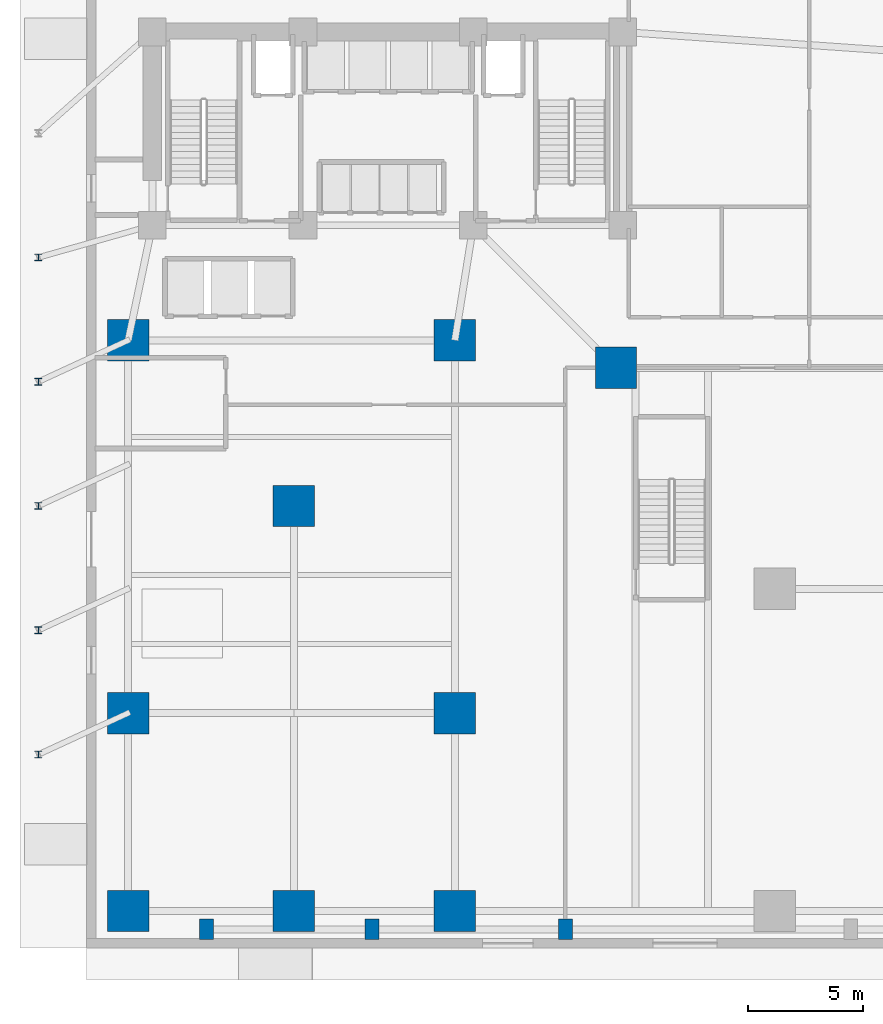
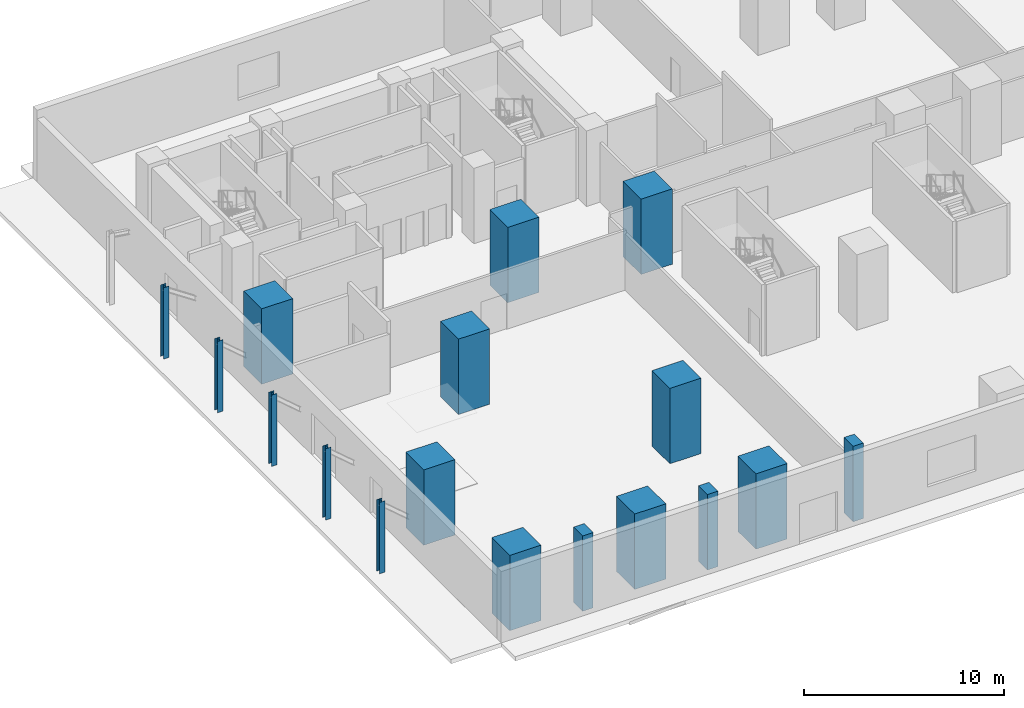
# One storey, part 1 of 14: 17 columns.
"""IFC4 building model written with IfcOpenShell, lengths in metres."""

from ifc_helpers import new_model, si_unit, direction, frame, origin, origin_2d, place, context, subcontext, project, spatial, rectangle, i_section, extrude, material, material_profile, profile_set, type_object, element, save


model = new_model("IFC4")

# Units and contexts
model_context = context("Model", 3, precision=1e-05, world=origin(), true_north=direction((0.0, 1.0)))
body_context = subcontext(model_context, "Body", "Model", "MODEL_VIEW")
ifc_project = project(units=[si_unit("LENGTHUNIT", "METRE"), si_unit("AREAUNIT", "SQUARE_METRE"), si_unit("VOLUMEUNIT", "CUBIC_METRE"), si_unit("PLANEANGLEUNIT", "RADIAN"), si_unit("MASSUNIT", "GRAM", prefix="KILO")], contexts=[model_context])

# Site, building, storey
site_placement = place(None, origin())
site = spatial("IfcSite", under=ifc_project, at=site_placement, CompositionType="ELEMENT")
building_placement = place(site_placement, origin())
building = spatial("IfcBuilding", under=site, at=building_placement, Name="Kuzgunbayir Cultural Tower", CompositionType="ELEMENT")
storey_placement = place(building_placement, origin())
storey = spatial("IfcBuildingStorey", under=building, at=storey_placement, Name="L00", CompositionType="ELEMENT", Elevation=0.0)

# Columns
ifc_material_1 = material(Name="Steel S355J2", Category="steel")
ifc_material_profile_1 = material_profile(ifc_material_1, i_section(OverallWidth=0.300048828125, OverallDepth=0.300048828125, WebThickness=0.010986328125, FlangeThickness=0.01904296875, FilletRadius=0.027099609375, at=origin_2d()), Name="HEB 300")
ifc_profile_set_1 = profile_set([ifc_material_profile_1], Name="Steel S355J2")
column_type_1 = type_object("IfcColumnType", Name="COL-COLONNADE-HEB300", PredefinedType="COLUMN", material=ifc_profile_set_1)
for number, where, z_axis, x_axis, name in (
    (1, (1.5, 10.800048828125, 0.0), (0.0, 0.0, 1.0), (1.0, 0.0, 0.0), "L00 West Civic Colonnade Column 1"),
    (2, (1.5, 16.199951171875, 0.0), (0.0, 0.0, 1.0), (1.0, 0.0, 0.0), "L00 West Civic Colonnade Column 2"),
    (3, (1.5, 21.60009765625, 0.0), (0.0, 0.0, 1.0), (1.0, 0.0, 0.0), "L00 West Civic Colonnade Column 3"),
    (4, (1.5, 27.0, 0.0), (0.0, 0.0, 1.0), (1.0, 0.0, 0.0), "L00 West Civic Colonnade Column 4"),
    (5, (1.5, 32.39990234375, 0.0), (0.0, 0.0, 1.0), (1.0, 0.0, 0.0), "L00 West Civic Colonnade Column 5"),
):
    element("IfcColumn", number, at=place(storey_placement, frame(where, z_axis=z_axis, x_axis=x_axis)), inside=storey, type_object=column_type_1, Name=name, PredefinedType="COLUMN", context=body_context, shape_type="SweptSolid", body=[
        extrude(i_section(OverallWidth=0.300048828125, OverallDepth=0.300048828125, WebThickness=0.010986328125, FlangeThickness=0.01904296875, FilletRadius=0.027099609375, at=origin_2d()), origin(), (0.0, 0.0, 1.0), 4.35009765625),
    ])
ifc_material_2 = material(Name="Concrete C60/75", Category="concrete")
ifc_material_profile_2 = material_profile(ifc_material_2, rectangle(XDim=1.800048828125, YDim=1.800048828125, at=origin_2d()), Name="RC 1800x1800")
ifc_profile_set_2 = profile_set([ifc_material_profile_2], Name="Concrete C60/75")
column_type_2 = type_object("IfcColumnType", Name="COL-MEGA-1800", PredefinedType="COLUMN", material=ifc_profile_set_2)
for number, where, z_axis, x_axis, name in (
    (6, (5.39990234375, 12.60009765625, 0.0), (0.0, 0.0, 1.0), (1.0, 0.0, 0.0), "L00 Podium Mega-Column PC-T1A-SW"),
    (7, (19.60009765625, 12.60009765625, 0.0), (0.0, 0.0, 1.0), (1.0, 0.0, 0.0), "L00 Podium Mega-Column PC-T1A-SE"),
    (8, (5.39990234375, 28.800048828125, 0.0), (0.0, 0.0, 1.0), (1.0, 0.0, 0.0), "L00 Podium Mega-Column PC-T1A-NW"),
    (9, (19.60009765625, 28.800048828125, 0.0), (0.0, 0.0, 1.0), (1.0, 0.0, 0.0), "L00 Podium Mega-Column PC-T1A-NE"),
    (10, (26.60009765625, 27.60009765625, 0.0), (0.0, 0.0, 1.0), (1.0, 0.0, 0.0), "L00 Podium Mega-Column PC-T1B-1S"),
    (11, (5.39990234375, 4.0, 0.0), (0.0, 0.0, 1.0), (1.0, 0.0, 0.0), "L00 Podium Mega-Column PC-P01"),
    (12, (12.60009765625, 4.0, 0.0), (0.0, 0.0, 1.0), (1.0, 0.0, 0.0), "L00 Podium Mega-Column PC-P02"),
    (13, (19.60009765625, 4.0, 0.0), (0.0, 0.0, 1.0), (1.0, 0.0, 0.0), "L00 Podium Mega-Column PC-P03"),
    (14, (12.60009765625, 21.60009765625, 0.0), (0.0, 0.0, 1.0), (1.0, 0.0, 0.0), "L00 Podium Mega-Column PC-P09"),
):
    element("IfcColumn", number, at=place(storey_placement, frame(where, z_axis=z_axis, x_axis=x_axis)), inside=storey, type_object=column_type_2, Name=name, PredefinedType="COLUMN", context=body_context, shape_type="SweptSolid", body=[
        extrude(rectangle(XDim=1.800048828125, YDim=1.800048828125, at=origin_2d()), origin(), (0.0, 0.0, 1.0), 4.60009765625),
    ])
ifc_material_profile_3 = material_profile(ifc_material_2, rectangle(XDim=0.60009765625, YDim=0.89990234375, at=origin_2d()), Name="RC 600x900")
ifc_profile_set_3 = profile_set([ifc_material_profile_3], Name="Concrete C60/75")
column_type_3 = type_object("IfcColumnType", Name="COL-PILASTER-600x900", PredefinedType="PILASTER", material=ifc_profile_set_3)
for number, where, z_axis, x_axis, name in (
    (15, (8.800048828125, 3.199951171875, 0.0), (0.0, 0.0, 1.0), (1.0, 0.0, 0.0), "L00 South Facade Pilaster 1"),
    (16, (16.0, 3.199951171875, 0.0), (0.0, 0.0, 1.0), (1.0, 0.0, 0.0), "L00 South Facade Pilaster 2"),
    (17, (24.39990234375, 3.199951171875, 0.0), (0.0, 0.0, 1.0), (1.0, 0.0, 0.0), "L00 South Facade Pilaster 3"),
):
    element("IfcColumn", number, at=place(storey_placement, frame(where, z_axis=z_axis, x_axis=x_axis)), inside=storey, type_object=column_type_3, Name=name, PredefinedType="PILASTER", context=body_context, shape_type="SweptSolid", body=[
        extrude(rectangle(XDim=0.60009765625, YDim=0.89990234375, at=origin_2d()), origin(), (0.0, 0.0, 1.0), 4.60009765625),
    ])

save(model, "model.ifc")
